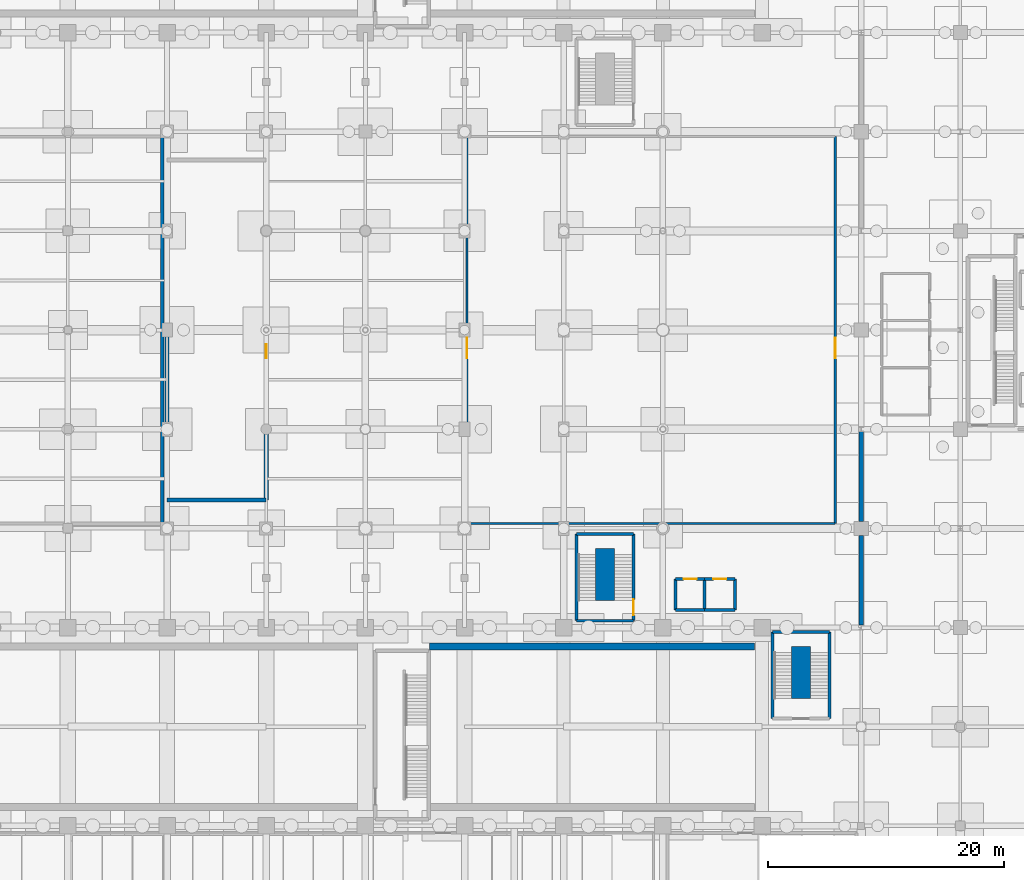
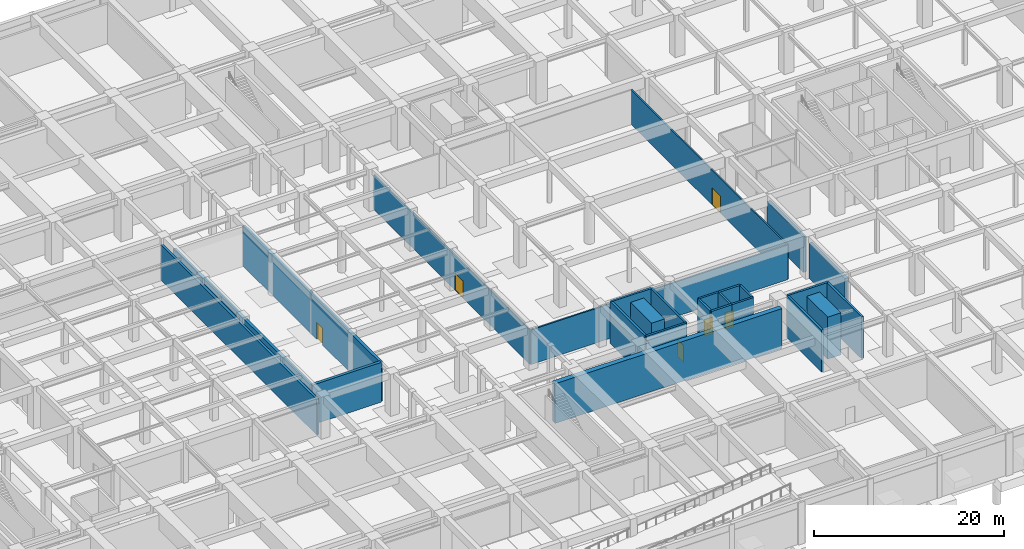
# One storey, part 20 of 26: 26 walls, 6 doors, 6 openings.
"""IFC4 building model written with IfcOpenShell, lengths in metres."""

from ifc_helpers import new_model, si_unit, direction, frame, frame_2d, origin, place, context, subcontext, project, spatial, rectangle, extrude, material, layer, layer_set, type_object, element, fill, save


model = new_model("IFC4")

# Units and contexts
model_context = context("Model", 3, precision=1e-05, world=origin(), true_north=direction((0.0, 1.0)))
body_context = subcontext(model_context, "Body", "Model", "MODEL_VIEW")
ifc_project = project(units=[si_unit("LENGTHUNIT", "METRE"), si_unit("AREAUNIT", "SQUARE_METRE"), si_unit("VOLUMEUNIT", "CUBIC_METRE"), si_unit("PLANEANGLEUNIT", "RADIAN"), si_unit("MASSUNIT", "GRAM", prefix="KILO")], contexts=[model_context])

# Site, building, storey
site_placement = place(None, origin())
site = spatial("IfcSite", under=ifc_project, at=site_placement, CompositionType="ELEMENT")
building_placement = place(site_placement, origin())
building = spatial("IfcBuilding", under=site, at=building_placement, Name="Xuanlan Plaza Opera House", CompositionType="ELEMENT")
storey_placement = place(building_placement, frame((0.0, 0.0, -5.39990234375)))
storey = spatial("IfcBuildingStorey", under=building, at=storey_placement, Name="B01", CompositionType="ELEMENT", Elevation=-5.39990234375)

# Wall
ifc_material_1 = material(Name="Gypsum Board and Galvanised Steel Studs", Category="gypsum")
ifc_layer_1 = layer(ifc_material_1, 0.179931640625)
ifc_layer_set_1 = layer_set([ifc_layer_1], Name="Gypsum Board and Galvanised Steel Studs")
wall_type_1 = type_object("IfcWallType", Name="INT-WL-PW-02", PredefinedType="PARTITIONING", material=ifc_layer_set_1)
wall_1_placement = place(storey_placement, frame((92.60009765625, 42.39990234375, 0.0), z_axis=(0.0, 0.0, 1.0), x_axis=(1.0, 0.0, 0.0)))
element("IfcWall", 1, at=wall_1_placement, inside=storey, type_object=wall_type_1, Name="Metro Concourse Interchange Hall Wall South", PredefinedType="PARTITIONING", context=body_context, shape_type="SweptSolid", body=[
    extrude(rectangle(XDim=31.199951171875, YDim=0.179931640625, at=frame_2d((15.60009765625, 0.0))), origin(), (0.0, 0.0, 1.0), 4.43994140625),
])

# Wall, opening, door
wall_2_placement = place(storey_placement, frame((92.60009765625, 42.39990234375, 0.0), z_axis=(0.0, 0.0, 1.0), x_axis=(0.0, 1.0, 0.0)))
wall_2 = element("IfcWall", 2, at=wall_2_placement, inside=storey, type_object=wall_type_1, Name="Metro Concourse Interchange Hall Wall West", PredefinedType="PARTITIONING", context=body_context, shape_type="SweptSolid", body=[
    extrude(rectangle(XDim=32.800048828125, YDim=0.179931640625, at=frame_2d((16.39990234375, 0.0))), origin(), (0.0, 0.0, 1.0), 4.43994140625),
])
opening_1_placement = place(wall_2_placement, frame((14.0, 0.0, 0.0)))
opening_1 = element("IfcOpeningElement", 3, at=opening_1_placement, cuts=wall_2, Name="Opening FD-03", PredefinedType="OPENING", context=body_context, shape_type="SweptSolid", body=[
    extrude(rectangle(XDim=1.75, YDim=2.199951171875, at=frame_2d((0.875, 1.10009765625))), frame((0.0, 0.099853515625, 0.0), z_axis=(0.0, -1.0, 0.0), x_axis=(1.0, 0.0, 0.0)), (0.0, 0.0, 1.0), 0.199951171875),
])
ifc_material_2 = material(Name="Galvanised Steel Q235B", Category="steel")
door_type_1 = type_object("IfcDoorType", Name="INT-DR-FD-03", OperationType="DOUBLE_DOOR_SINGLE_SWING", PredefinedType="DOOR", material=ifc_material_2)
door_1_placement = place(opening_1_placement, origin())
door_1 = element("IfcDoor", 4, at=door_1_placement, inside=storey, type_object=door_type_1, Name="Metro Concourse Interchange Hall Door 1", OperationType="DOUBLE_DOOR_SINGLE_SWING", OverallHeight=2.199951171875, OverallWidth=1.75, PredefinedType="DOOR", context=body_context, shape_type="SweptSolid", body=[
    extrude(rectangle(XDim=1.75, YDim=2.199951171875, at=frame_2d((0.875, 1.10009765625))), frame((0.0, 0.02490234375, 0.0), z_axis=(0.0, -1.0, 0.0), x_axis=(1.0, 0.0, 0.0)), (0.0, 0.0, 1.0), 0.050048828125),
])
fill(opening_1, door_1)

wall_3_placement = place(storey_placement, frame((123.800048828125, 42.39990234375, 0.0), z_axis=(0.0, 0.0, 1.0), x_axis=(0.0, 1.0, 0.0)))
wall_3 = element("IfcWall", 5, at=wall_3_placement, inside=storey, type_object=wall_type_1, Name="Metro Concourse Interchange Hall Wall East", PredefinedType="PARTITIONING", context=body_context, shape_type="SweptSolid", body=[
    extrude(rectangle(XDim=32.800048828125, YDim=0.179931640625, at=frame_2d((16.39990234375, 0.0))), origin(), (0.0, 0.0, 1.0), 4.43994140625),
])
opening_2_placement = place(wall_3_placement, frame((14.0, 0.0, 0.0)))
opening_2 = element("IfcOpeningElement", 6, at=opening_2_placement, cuts=wall_3, Name="Opening FD-03", PredefinedType="OPENING", context=body_context, shape_type="SweptSolid", body=[
    extrude(rectangle(XDim=1.75, YDim=2.199951171875, at=frame_2d((0.875, 1.10009765625))), frame((0.0, 0.099853515625, 0.0), z_axis=(0.0, -1.0, 0.0), x_axis=(1.0, 0.0, 0.0)), (0.0, 0.0, 1.0), 0.199951171875),
])
door_2_placement = place(opening_2_placement, origin())
door_2 = element("IfcDoor", 7, at=door_2_placement, inside=storey, type_object=door_type_1, Name="Metro Concourse Interchange Hall Door 1", OperationType="DOUBLE_DOOR_SINGLE_SWING", OverallHeight=2.199951171875, OverallWidth=1.75, PredefinedType="DOOR", context=body_context, shape_type="SweptSolid", body=[
    extrude(rectangle(XDim=1.75, YDim=2.199951171875, at=frame_2d((0.875, 1.10009765625))), frame((0.0, 0.02490234375, 0.0), z_axis=(0.0, -1.0, 0.0), x_axis=(1.0, 0.0, 0.0)), (0.0, 0.0, 1.0), 0.050048828125),
])
fill(opening_2, door_2)

# Walls
ifc_material_3 = material(Name="Concrete C50", Category="concrete")
ifc_layer_2 = layer(ifc_material_3, 0.3798828125)
ifc_layer_set_2 = layer_set([ifc_layer_2], Name="Concrete C50")
wall_type_2 = type_object("IfcWallType", Name="INT-WL-SW-FW1", PredefinedType="SHEAR", material=ifc_layer_set_2)
for number, where, z_axis, x_axis, name in (
    (8, (126.0, 33.806884765625, 0.0), (0.0, 0.0, 1.0), (0.0, 1.0, 0.0), "Opera-Tower Compartment Firewall B01-01"),
    (9, (126.0, 42.60009765625, 0.0), (0.0, 0.0, 1.0), (0.0, 1.0, 0.0), "Opera-Tower Compartment Firewall B01-02"),
):
    element("IfcWall", number, at=place(storey_placement, frame(where, z_axis=z_axis, x_axis=x_axis)), inside=storey, type_object=wall_type_2, Name=name, PredefinedType="SHEAR", context=body_context, shape_type="SweptSolid", body=[
        extrude(rectangle(XDim=7.593017578125, YDim=0.3798828125, at=frame_2d((3.79638671875, 0.0))), origin(), (0.0, 0.0, 1.0), 4.5498046875),
    ])
ifc_material_4 = material(Name="Concrete C40", Category="concrete")
ifc_layer_3 = layer(ifc_material_4, 0.25)
ifc_layer_set_3 = layer_set([ifc_layer_3], Name="Concrete C40")
wall_type_3 = type_object("IfcWallType", Name="INT-WL-SW-LF1", PredefinedType="SHEAR", material=ifc_layer_set_3)
wall_4_placement = place(storey_placement, frame((110.27490234375, 35.074951171875, 0.0), z_axis=(0.0, 0.0, 1.0), x_axis=(1.0, 0.0, 0.0)))
element("IfcWall", 10, at=wall_4_placement, inside=storey, type_object=wall_type_3, Name="Lift Shaft Wall LF-OP1 B01 South", PredefinedType="SHEAR", context=body_context, shape_type="SweptSolid", body=[
    extrude(rectangle(XDim=2.4501953125, YDim=0.25, at=frame_2d((1.22509765625, 0.0))), origin(), (0.0, 0.0, 1.0), 5.099853515625),
])

# Wall, opening, door
wall_5_placement = place(storey_placement, frame((110.27490234375, 37.72509765625, 0.0), z_axis=(0.0, 0.0, 1.0), x_axis=(1.0, 0.0, 0.0)))
wall_5 = element("IfcWall", 11, at=wall_5_placement, inside=storey, type_object=wall_type_3, Name="Lift Shaft Wall LF-OP1 B01 North", PredefinedType="SHEAR", context=body_context, shape_type="SweptSolid", body=[
    extrude(rectangle(XDim=2.4501953125, YDim=0.25, at=frame_2d((1.22509765625, 0.0))), origin(), (0.0, 0.0, 1.0), 5.099853515625),
])
opening_3_placement = place(wall_5_placement, frame((0.675048828125, 0.0, 0.0)))
opening_3 = element("IfcOpeningElement", 12, at=opening_3_placement, cuts=wall_5, Name="Opening LD-OP1-B01", PredefinedType="OPENING", context=body_context, shape_type="SweptSolid", body=[
    extrude(rectangle(XDim=1.10009765625, YDim=2.14990234375, at=frame_2d((0.550048828125, 1.074951171875))), frame((0.0, 0.135009765625, 0.0), z_axis=(0.0, -1.0, 0.0), x_axis=(1.0, 0.0, 0.0)), (0.0, 0.0, 1.0), 0.27001953125),
])
ifc_material_5 = material(Name="Stainless Steel S30408", Category="steel")
door_type_2 = type_object("IfcDoorType", Name="INT-DR-LD-01", OperationType="DOUBLE_DOOR_SLIDING", PredefinedType="DOOR", material=ifc_material_5)
door_3_placement = place(opening_3_placement, origin())
door_3 = element("IfcDoor", 13, at=door_3_placement, inside=storey, type_object=door_type_2, Name="Lift Sliding Landing Door LF-OP1 B01", OperationType="DOUBLE_DOOR_SLIDING", OverallHeight=2.14990234375, OverallWidth=1.10009765625, PredefinedType="DOOR", context=body_context, shape_type="SweptSolid", body=[
    extrude(rectangle(XDim=1.10009765625, YDim=2.14990234375, at=frame_2d((0.550048828125, 1.074951171875))), frame((0.0, 0.02490234375, 0.0), z_axis=(0.0, -1.0, 0.0), x_axis=(1.0, 0.0, 0.0)), (0.0, 0.0, 1.0), 0.050048828125),
])
fill(opening_3, door_3)

# Walls
for number, where, z_axis, x_axis, name in (
    (14, (110.27490234375, 35.074951171875, 0.0), (0.0, 0.0, 1.0), (0.0, 1.0, 0.0), "Lift Shaft Wall LF-OP1 B01 West"),
    (15, (112.72509765625, 35.074951171875, 0.0), (0.0, 0.0, 1.0), (0.0, 1.0, 0.0), "Lift Shaft Wall LF-OP1 B01 East"),
):
    element("IfcWall", number, at=place(storey_placement, frame(where, z_axis=z_axis, x_axis=x_axis)), inside=storey, type_object=wall_type_3, Name=name, PredefinedType="SHEAR", context=body_context, shape_type="SweptSolid", body=[
        extrude(rectangle(XDim=2.650146484375, YDim=0.25, at=frame_2d((1.3251953125, 0.0))), origin(), (0.0, 0.0, 1.0), 5.099853515625),
    ])
wall_6_placement = place(storey_placement, frame((112.72509765625, 35.074951171875, 0.0), z_axis=(0.0, 0.0, 1.0), x_axis=(1.0, 0.0, 0.0)))
element("IfcWall", 16, at=wall_6_placement, inside=storey, type_object=wall_type_3, Name="Lift Shaft Wall LF-OP2 B01 South", PredefinedType="SHEAR", context=body_context, shape_type="SweptSolid", body=[
    extrude(rectangle(XDim=2.599853515625, YDim=0.25, at=frame_2d((1.2998046875, 0.0))), origin(), (0.0, 0.0, 1.0), 5.099853515625),
])

# Wall, opening, door
wall_7_placement = place(storey_placement, frame((112.72509765625, 37.72509765625, 0.0), z_axis=(0.0, 0.0, 1.0), x_axis=(1.0, 0.0, 0.0)))
wall_7 = element("IfcWall", 17, at=wall_7_placement, inside=storey, type_object=wall_type_3, Name="Lift Shaft Wall LF-OP2 B01 North", PredefinedType="SHEAR", context=body_context, shape_type="SweptSolid", body=[
    extrude(rectangle(XDim=2.599853515625, YDim=0.25, at=frame_2d((1.2998046875, 0.0))), origin(), (0.0, 0.0, 1.0), 5.099853515625),
])
opening_4_placement = place(wall_7_placement, frame((0.75, 0.0, 0.0)))
opening_4 = element("IfcOpeningElement", 18, at=opening_4_placement, cuts=wall_7, Name="Opening LD-OP2-B01", PredefinedType="OPENING", context=body_context, shape_type="SweptSolid", body=[
    extrude(rectangle(XDim=1.10009765625, YDim=2.14990234375, at=frame_2d((0.550048828125, 1.074951171875))), frame((0.0, 0.135009765625, 0.0), z_axis=(0.0, -1.0, 0.0), x_axis=(1.0, 0.0, 0.0)), (0.0, 0.0, 1.0), 0.27001953125),
])
door_4_placement = place(opening_4_placement, origin())
door_4 = element("IfcDoor", 19, at=door_4_placement, inside=storey, type_object=door_type_2, Name="Lift Sliding Landing Door LF-OP2 B01", OperationType="DOUBLE_DOOR_SLIDING", OverallHeight=2.14990234375, OverallWidth=1.10009765625, PredefinedType="DOOR", context=body_context, shape_type="SweptSolid", body=[
    extrude(rectangle(XDim=1.10009765625, YDim=2.14990234375, at=frame_2d((0.550048828125, 1.074951171875))), frame((0.0, 0.02490234375, 0.0), z_axis=(0.0, -1.0, 0.0), x_axis=(1.0, 0.0, 0.0)), (0.0, 0.0, 1.0), 0.050048828125),
])
fill(opening_4, door_4)

# Walls
wall_8_placement = place(storey_placement, frame((115.324951171875, 35.074951171875, 0.0), z_axis=(0.0, 0.0, 1.0), x_axis=(0.0, 1.0, 0.0)))
element("IfcWall", 20, at=wall_8_placement, inside=storey, type_object=wall_type_3, Name="Lift Shaft Wall LF-OP2 B01 East", PredefinedType="SHEAR", context=body_context, shape_type="SweptSolid", body=[
    extrude(rectangle(XDim=2.650146484375, YDim=0.25, at=frame_2d((1.3251953125, 0.0))), origin(), (0.0, 0.0, 1.0), 5.099853515625),
])
ifc_layer_4 = layer(ifc_material_3, 1.60009765625)
ifc_layer_set_4 = layer_set([ifc_layer_4], Name="Concrete C50")
wall_type_4 = type_object("IfcWallType", Name="INT-WL-SW-SP2", PredefinedType="SHEAR", material=ifc_layer_set_4)
wall_9_placement = place(storey_placement, frame((104.300048828125, 35.8798828125, 0.0), z_axis=(0.0, 0.0, 1.0), x_axis=(0.0, 1.0, 0.0)))
element("IfcWall", 21, at=wall_9_placement, inside=storey, type_object=wall_type_4, Name="Half-Turn Stair Structural Spine Wall ST-F1 B01", PredefinedType="SHEAR", context=body_context, shape_type="SweptSolid", body=[
    extrude(rectangle(XDim=4.400146484375, YDim=1.60009765625, at=frame_2d((2.2001953125, 0.0))), origin(), (0.0, 0.0, 1.0), 5.39990234375),
])
wall_10_placement = place(storey_placement, frame((120.89990234375, 27.580078125, 0.0), z_axis=(0.0, 0.0, 1.0), x_axis=(0.0, 1.0, 0.0)))
element("IfcWall", 22, at=wall_10_placement, inside=storey, type_object=wall_type_4, Name="Half-Turn Stair Structural Spine Wall ST-F3 B01", PredefinedType="SHEAR", context=body_context, shape_type="SweptSolid", body=[
    extrude(rectangle(XDim=4.39990234375, YDim=1.60009765625, at=frame_2d((2.199951171875, 0.0))), origin(), (0.0, 0.0, 1.0), 5.39990234375),
])
ifc_layer_5 = layer(ifc_material_4, 0.300048828125)
ifc_layer_set_5 = layer_set([ifc_layer_5], Name="Concrete C40")
wall_type_5 = type_object("IfcWallType", Name="INT-WL-SW-ST1", PredefinedType="SHEAR", material=ifc_layer_set_5)
wall_11_placement = place(storey_placement, frame((66.800048828125, 42.39990234375, 0.0), z_axis=(0.0, 0.0, 1.0), x_axis=(0.0, 1.0, 0.0)))
element("IfcWall", 23, at=wall_11_placement, inside=storey, type_object=wall_type_5, Name="Understage Trap and Machinery Room Wall East", PredefinedType="SHEAR", context=body_context, shape_type="SweptSolid", body=[
    extrude(rectangle(XDim=32.800048828125, YDim=0.300048828125, at=frame_2d((16.39990234375, 0.0))), origin(), (0.0, 0.0, 1.0), 4.5498046875),
])
ifc_layer_6 = layer(ifc_material_4, 0.25)
ifc_layer_set_6 = layer_set([ifc_layer_6], Name="Concrete C40")
wall_type_6 = type_object("IfcWallType", Name="INT-WL-SW-ST2", PredefinedType="SHEAR", material=ifc_layer_set_6)
for number, where, z_axis, x_axis, name in (
    (24, (101.875, 34.175048828125, 0.0), (0.0, 0.0, 1.0), (1.0, 0.0, 0.0), "Stair Core Wall ST-F1 B01 South"),
    (25, (101.875, 41.5048828125, 0.0), (0.0, 0.0, 1.0), (1.0, 0.0, 0.0), "Stair Core Wall ST-F1 B01 North"),
):
    element("IfcWall", number, at=place(storey_placement, frame(where, z_axis=z_axis, x_axis=x_axis)), inside=storey, type_object=wall_type_6, Name=name, PredefinedType="SHEAR", context=body_context, shape_type="SweptSolid", body=[
        extrude(rectangle(XDim=4.85009765625, YDim=0.25, at=frame_2d((2.425048828125, 0.0))), origin(), (0.0, 0.0, 1.0), 5.39990234375),
    ])
wall_12_placement = place(storey_placement, frame((101.875, 34.175048828125, 0.0), z_axis=(0.0, 0.0, 1.0), x_axis=(0.0, 1.0, 0.0)))
element("IfcWall", 26, at=wall_12_placement, inside=storey, type_object=wall_type_6, Name="Stair Core Wall ST-F1 B01 West", PredefinedType="SHEAR", context=body_context, shape_type="SweptSolid", body=[
    extrude(rectangle(XDim=7.329833984375, YDim=0.25, at=frame_2d((3.6650390625, 0.0))), origin(), (0.0, 0.0, 1.0), 5.39990234375),
])

# Wall, opening, door
wall_13_placement = place(storey_placement, frame((106.72509765625, 34.175048828125, 0.0), z_axis=(0.0, 0.0, 1.0), x_axis=(0.0, 1.0, 0.0)))
wall_13 = element("IfcWall", 27, at=wall_13_placement, inside=storey, type_object=wall_type_6, Name="Stair Core Wall ST-F1 B01 East", PredefinedType="SHEAR", context=body_context, shape_type="SweptSolid", body=[
    extrude(rectangle(XDim=7.329833984375, YDim=0.25, at=frame_2d((3.6650390625, 0.0))), origin(), (0.0, 0.0, 1.0), 5.39990234375),
])
opening_5_placement = place(wall_13_placement, frame((0.449951171875, 0.0, 0.0)))
opening_5 = element("IfcOpeningElement", 28, at=opening_5_placement, cuts=wall_13, Name="Opening FD-ST2", PredefinedType="OPENING", context=body_context, shape_type="SweptSolid", body=[
    extrude(rectangle(XDim=1.35009765625, YDim=2.14990234375, at=frame_2d((0.675048828125, 1.074951171875))), frame((0.0, 0.135009765625, 0.0), z_axis=(0.0, -1.0, 0.0), x_axis=(1.0, 0.0, 0.0)), (0.0, 0.0, 1.0), 0.27001953125),
])
door_type_3 = type_object("IfcDoorType", Name="INT-DR-FD-ST2", OperationType="NOTDEFINED", PredefinedType="DOOR", material=ifc_material_2)
door_5_placement = place(opening_5_placement, origin())
door_5 = element("IfcDoor", 29, at=door_5_placement, inside=storey, type_object=door_type_3, Name="Stair Enclosure Fire Door ST-F1 B01", OperationType="SINGLE_SWING_LEFT", OverallHeight=2.14990234375, OverallWidth=1.35009765625, PredefinedType="DOOR", context=body_context, shape_type="SweptSolid", body=[
    extrude(rectangle(XDim=1.35009765625, YDim=2.14990234375, at=frame_2d((0.675048828125, 1.074951171875))), frame((0.0, 0.02490234375, 0.0), z_axis=(0.0, -1.0, 0.0), x_axis=(1.0, 0.0, 0.0)), (0.0, 0.0, 1.0), 0.050048828125),
])
fill(opening_5, door_5)

# Walls
wall_14_placement = place(storey_placement, frame((118.47509765625, 33.205078125, 0.0), z_axis=(0.0, 0.0, 1.0), x_axis=(1.0, 0.0, 0.0)))
element("IfcWall", 30, at=wall_14_placement, inside=storey, type_object=wall_type_6, Name="Stair Core Wall ST-F3 B01 North", PredefinedType="SHEAR", context=body_context, shape_type="SweptSolid", body=[
    extrude(rectangle(XDim=4.849853515625, YDim=0.25, at=frame_2d((2.4248046875, 0.0))), origin(), (0.0, 0.0, 1.0), 5.39990234375),
])
for number, where, z_axis, x_axis, name in (
    (31, (118.47509765625, 25.875, 0.0), (0.0, 0.0, 1.0), (0.0, 1.0, 0.0), "Stair Core Wall ST-F3 B01 West"),
    (32, (123.324951171875, 25.875, 0.0), (0.0, 0.0, 1.0), (0.0, 1.0, 0.0), "Stair Core Wall ST-F3 B01 East"),
):
    element("IfcWall", number, at=place(storey_placement, frame(where, z_axis=z_axis, x_axis=x_axis)), inside=storey, type_object=wall_type_6, Name=name, PredefinedType="SHEAR", context=body_context, shape_type="SweptSolid", body=[
        extrude(rectangle(XDim=7.330078125, YDim=0.25, at=frame_2d((3.6650390625, 0.0))), origin(), (0.0, 0.0, 1.0), 5.39990234375),
    ])
ifc_layer_7 = layer(ifc_material_4, 0.35009765625)
ifc_layer_set_7 = layer_set([ifc_layer_7], Name="Concrete C40")
wall_type_7 = type_object("IfcWallType", Name="STR-WL-SW-C2", PredefinedType="SHEAR", material=ifc_layer_set_7)
wall_15_placement = place(storey_placement, frame((67.199951171875, 44.39990234375, 0.0), z_axis=(0.0, 0.0, 1.0), x_axis=(0.0, 1.0, 0.0)))
element("IfcWall", 33, at=wall_15_placement, inside=storey, type_object=wall_type_7, Name="Orchestra Pit Support Wall W", PredefinedType="SHEAR", context=body_context, shape_type="SweptSolid", body=[
    extrude(rectangle(XDim=28.800048828125, YDim=0.35009765625, at=frame_2d((14.39990234375, 0.0))), origin(), (0.0, 0.0, 1.0), 5.099853515625),
])

# Wall, opening, door
wall_16_placement = place(storey_placement, frame((75.60009765625, 44.39990234375, 0.0), z_axis=(0.0, 0.0, 1.0), x_axis=(0.0, 1.0, 0.0)))
wall_16 = element("IfcWall", 34, at=wall_16_placement, inside=storey, type_object=wall_type_7, Name="Orchestra Pit Support Wall E", PredefinedType="SHEAR", context=body_context, shape_type="SweptSolid", body=[
    extrude(rectangle(XDim=28.800048828125, YDim=0.35009765625, at=frame_2d((14.39990234375, 0.0))), origin(), (0.0, 0.0, 1.0), 5.099853515625),
])
opening_6_placement = place(wall_16_placement, frame((12.0, 0.0, 0.0)))
opening_6 = element("IfcOpeningElement", 35, at=opening_6_placement, cuts=wall_16, Name="Opening FD-02", PredefinedType="OPENING", context=body_context, shape_type="SweptSolid", body=[
    extrude(rectangle(XDim=1.199951171875, YDim=2.14990234375, at=frame_2d((0.60009765625, 1.074951171875))), frame((0.0, 0.18505859375, 0.0), z_axis=(0.0, -1.0, 0.0), x_axis=(1.0, 0.0, 0.0)), (0.0, 0.0, 1.0), 0.3701171875),
])
door_type_4 = type_object("IfcDoorType", Name="INT-DR-FD-02", OperationType="NOTDEFINED", PredefinedType="DOOR", material=ifc_material_2)
door_6_placement = place(opening_6_placement, origin())
door_6 = element("IfcDoor", 36, at=door_6_placement, inside=storey, type_object=door_type_4, Name="Orchestra Pit Lift Chamber Fire Door", OperationType="SINGLE_SWING_RIGHT", OverallHeight=2.14990234375, OverallWidth=1.199951171875, PredefinedType="DOOR", context=body_context, shape_type="SweptSolid", body=[
    extrude(rectangle(XDim=1.199951171875, YDim=2.14990234375, at=frame_2d((0.60009765625, 1.074951171875))), frame((0.0, 0.02490234375, 0.0), z_axis=(0.0, -1.0, 0.0), x_axis=(1.0, 0.0, 0.0)), (0.0, 0.0, 1.0), 0.050048828125),
])
fill(opening_6, door_6)

# Walls
wall_17_placement = place(storey_placement, frame((67.199951171875, 44.39990234375, 0.0), z_axis=(0.0, 0.0, 1.0), x_axis=(1.0, 0.0, 0.0)))
element("IfcWall", 37, at=wall_17_placement, inside=storey, type_object=wall_type_7, Name="Orchestra Pit Support Wall S", PredefinedType="SHEAR", context=body_context, shape_type="SweptSolid", body=[
    extrude(rectangle(XDim=8.400146484375, YDim=0.35009765625, at=frame_2d((4.2001953125, 0.0))), origin(), (0.0, 0.0, 1.0), 5.099853515625),
])
ifc_layer_8 = layer(ifc_material_3, 0.60009765625)
ifc_layer_set_8 = layer_set([ifc_layer_8], Name="Concrete C50")
wall_type_8 = type_object("IfcWallType", Name="STR-WL-SW-M1", PredefinedType="SHEAR", material=ifc_layer_set_8)
wall_18_placement = place(storey_placement, frame((89.419921875, 32.0, 0.0), z_axis=(0.0, 0.0, 1.0), x_axis=(1.0, 0.0, 0.0)))
element("IfcWall", 38, at=wall_18_placement, inside=storey, type_object=wall_type_8, Name="Metro Tunnel Protection Wall M2-03", PredefinedType="SHEAR", context=body_context, shape_type="SweptSolid", body=[
    extrude(rectangle(XDim=27.530029296875, YDim=0.60009765625, at=frame_2d((13.76513671875, 0.0))), origin(), (0.0, 0.0, 1.0), 5.099853515625),
])

save(model, "model.ifc")
